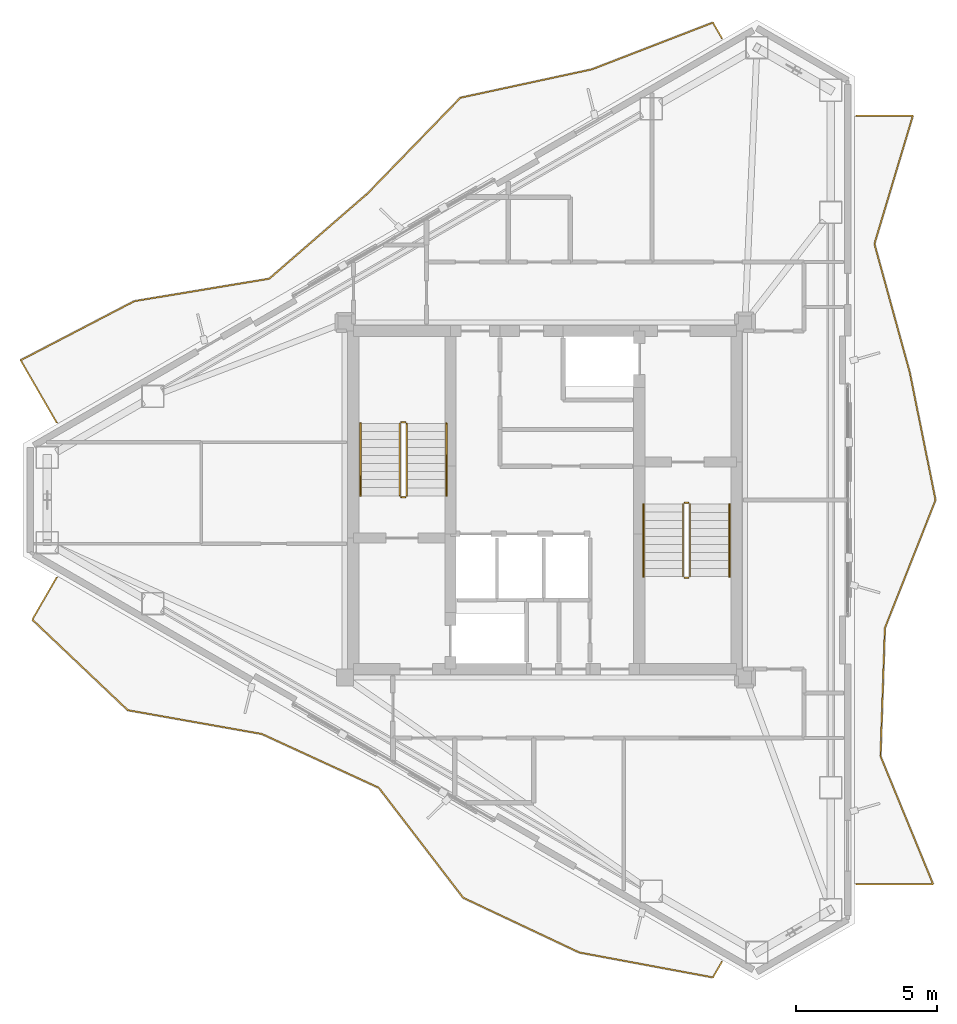
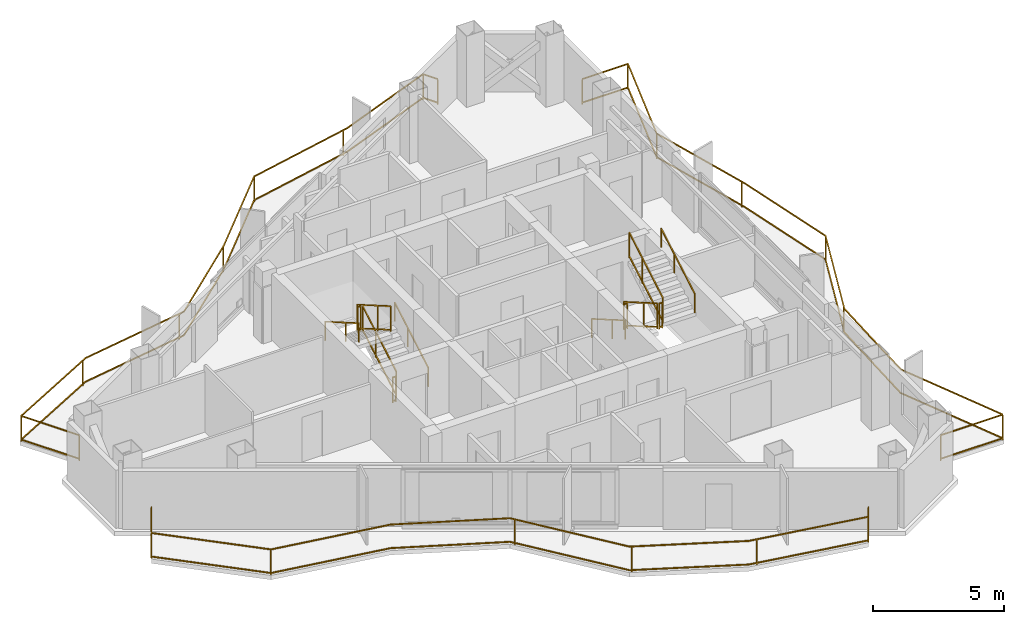
# One storey, part 18 of 18: 15 railings.
"""IFC4 building model written with IfcOpenShell, lengths in metres."""

from ifc_helpers import new_model, si_unit, direction, frame, origin, origin_2d, place, context, subcontext, project, spatial, rectangle, extrude, material, type_object, element, save


model = new_model("IFC4")

# Units and contexts
model_context = context("Model", 3, precision=1e-05, world=origin(), true_north=direction((0.0, 1.0)))
body_context = subcontext(model_context, "Body", "Model", "MODEL_VIEW")
ifc_project = project(units=[si_unit("LENGTHUNIT", "METRE"), si_unit("AREAUNIT", "SQUARE_METRE"), si_unit("VOLUMEUNIT", "CUBIC_METRE"), si_unit("PLANEANGLEUNIT", "RADIAN"), si_unit("MASSUNIT", "GRAM", prefix="KILO")], contexts=[model_context])

# Site, building, storey
site_placement = place(None, origin())
site = spatial("IfcSite", under=ifc_project, at=site_placement, CompositionType="ELEMENT")
building_placement = place(site_placement, origin())
building = spatial("IfcBuilding", under=site, at=building_placement, Name="Mersakhor Tower and Convention Hall", CompositionType="ELEMENT")
storey_placement = place(building_placement, frame((0.0, 0.0, 233.10009765625)))
storey = spatial("IfcBuildingStorey", under=building, at=storey_placement, Name="L65", CompositionType="ELEMENT", Elevation=233.10009765625)

# Railings
ifc_material_1 = material(Name="Powder-coated galvanised steel and laminated glass balustrade", Category="steel")
railing_type_1 = type_object("IfcRailingType", Name="RL-BAL-1200", PredefinedType="BALUSTRADE", material=ifc_material_1)
railing_1_placement = place(storey_placement, frame((35.287841796875, 43.13134765625, 0.0)))
element("IfcRailing", 1, at=railing_1_placement, inside=storey, type_object=railing_type_1, Name="L65 Sinusoidal Balcony Balustrade F1", PredefinedType="BALUSTRADE", context=body_context, shape_type="SweptSolid", body=[
    extrude(rectangle(XDim=0.048095703125, YDim=0.048095703125, at=origin_2d()), frame((0.0, 0.0, 1.17578125), z_axis=(-0.49989585183, 0.866085525409, 0.0), x_axis=(-0.866085525409, -0.49989585183, 0.0)), (0.0, 0.0, 1.0), 0.650146484375),
    extrude(rectangle(XDim=0.048095703125, YDim=0.048095703125, at=origin_2d()), frame((0.0, 0.0, 0.080078125), z_axis=(-0.49989585183, 0.866085525409, 0.0), x_axis=(-0.866085525409, -0.49989585183, 0.0)), (0.0, 0.0, 1.0), 0.650146484375),
    extrude(rectangle(XDim=0.048095703125, YDim=0.048095703125, at=origin_2d()), frame((-0.324951171875, 0.56298828125, 1.17578125), z_axis=(-0.932764477303, -0.360486379605, 0.0), x_axis=(0.360486379605, -0.932764477303, 0.0)), (0.0, 0.0, 1.0), 4.6005859375),
    extrude(rectangle(XDim=0.048095703125, YDim=0.048095703125, at=origin_2d()), frame((-0.324951171875, 0.56298828125, 0.080078125), z_axis=(-0.932764477303, -0.360486379605, 0.0), x_axis=(0.360486379605, -0.932764477303, 0.0)), (0.0, 0.0, 1.0), 4.6005859375),
    extrude(rectangle(XDim=0.048095703125, YDim=0.048095703125, at=origin_2d()), frame((-4.6162109375, -1.095458984375, 1.17578125), z_axis=(-0.977477213029, -0.211040986564, 0.0), x_axis=(0.211040986564, -0.977477213029, 0.0)), (0.0, 0.0, 1.0), 4.774169921875),
    extrude(rectangle(XDim=0.048095703125, YDim=0.048095703125, at=origin_2d()), frame((-4.6162109375, -1.095458984375, 0.080078125), z_axis=(-0.977477213029, -0.211040986564, 0.0), x_axis=(0.211040986564, -0.977477213029, 0.0)), (0.0, 0.0, 1.0), 4.774169921875),
    extrude(rectangle(XDim=0.048095703125, YDim=0.048095703125, at=origin_2d()), frame((-9.282958984375, -2.10302734375, 1.17578125), z_axis=(-0.696278957934, -0.717771281634, 0.0), x_axis=(0.717771281634, -0.696278957934, 0.0)), (0.0, 0.0, 1.0), 4.7255859375),
    extrude(rectangle(XDim=0.048095703125, YDim=0.048095703125, at=origin_2d()), frame((-9.282958984375, -2.10302734375, 0.080078125), z_axis=(-0.696278957934, -0.717771281634, 0.0), x_axis=(0.717771281634, -0.696278957934, 0.0)), (0.0, 0.0, 1.0), 4.7255859375),
    extrude(rectangle(XDim=0.048095703125, YDim=0.048095703125, at=origin_2d()), frame((-12.5732421875, -5.494873046875, 1.17578125), z_axis=(-0.755480231709, -0.655171442828, 0.0), x_axis=(0.655171442828, -0.755480231709, 0.0)), (0.0, 0.0, 1.0), 4.629150390625),
    extrude(rectangle(XDim=0.048095703125, YDim=0.048095703125, at=origin_2d()), frame((-12.5732421875, -5.494873046875, 0.080078125), z_axis=(-0.755480231709, -0.655171442828, 0.0), x_axis=(0.655171442828, -0.755480231709, 0.0)), (0.0, 0.0, 1.0), 4.629150390625),
    extrude(rectangle(XDim=0.048095703125, YDim=0.048095703125, at=origin_2d()), frame((-16.070556640625, -8.52783203125, 1.17578125), z_axis=(-0.986442813664, -0.164105378861, 0.0), x_axis=(0.164105378861, -0.986442813664, 0.0)), (0.0, 0.0, 1.0), 4.8544921875),
    extrude(rectangle(XDim=0.048095703125, YDim=0.048095703125, at=origin_2d()), frame((-16.070556640625, -8.52783203125, 0.080078125), z_axis=(-0.986442813664, -0.164105378861, 0.0), x_axis=(0.164105378861, -0.986442813664, 0.0)), (0.0, 0.0, 1.0), 4.8544921875),
    extrude(rectangle(XDim=0.048095703125, YDim=0.048095703125, at=origin_2d()), frame((-20.859130859375, -9.324462890625, 1.17578125), z_axis=(-0.887298491652, -0.461195605694, 0.0), x_axis=(0.461195605694, -0.887298491652, 0.0)), (0.0, 0.0, 1.0), 4.5498046875),
    extrude(rectangle(XDim=0.048095703125, YDim=0.048095703125, at=origin_2d()), frame((-20.859130859375, -9.324462890625, 0.080078125), z_axis=(-0.887298491652, -0.461195605694, 0.0), x_axis=(0.461195605694, -0.887298491652, 0.0)), (0.0, 0.0, 1.0), 4.5498046875),
    extrude(rectangle(XDim=0.048095703125, YDim=0.048095703125, at=origin_2d()), frame((-24.896240234375, -11.4228515625, 1.17578125), z_axis=(0.500022914263, -0.866012173824, 0.0), x_axis=(0.866012173824, 0.500022914263, 0.0)), (0.0, 0.0, 1.0), 2.5556640625),
    extrude(rectangle(XDim=0.048095703125, YDim=0.048095703125, at=origin_2d()), frame((-24.896240234375, -11.4228515625, 0.080078125), z_axis=(0.500022914263, -0.866012173824, 0.0), x_axis=(0.866012173824, 0.500022914263, 0.0)), (0.0, 0.0, 1.0), 2.5556640625),
    extrude(rectangle(XDim=0.0419921875, YDim=0.0419921875, at=origin_2d()), origin(), (0.0, 0.0, 1.0), 1.15185546875),
    extrude(rectangle(XDim=0.0419921875, YDim=0.0419921875, at=origin_2d()), frame((-0.324951171875, 0.56298828125, 0.0)), (0.0, 0.0, 1.0), 1.15185546875),
    extrude(rectangle(XDim=0.0419921875, YDim=0.0419921875, at=origin_2d()), frame((-4.81103515625, -1.137451171875, 0.0)), (0.0, 0.0, 1.0), 1.15185546875),
    extrude(rectangle(XDim=0.0419921875, YDim=0.0419921875, at=origin_2d()), frame((-9.282958984375, -2.10302734375, 0.0)), (0.0, 0.0, 1.0), 1.15185546875),
    extrude(rectangle(XDim=0.0419921875, YDim=0.0419921875, at=origin_2d()), frame((-12.62939453125, -5.543701171875, 0.0)), (0.0, 0.0, 1.0), 1.15185546875),
    extrude(rectangle(XDim=0.0419921875, YDim=0.0419921875, at=origin_2d()), frame((-16.3125, -8.568115234375, 0.0)), (0.0, 0.0, 1.0), 1.15185546875),
    extrude(rectangle(XDim=0.0419921875, YDim=0.0419921875, at=origin_2d()), frame((-21.028564453125, -9.412353515625, 0.0)), (0.0, 0.0, 1.0), 1.15185546875),
    extrude(rectangle(XDim=0.0419921875, YDim=0.0419921875, at=origin_2d()), frame((-24.896240234375, -11.4228515625, 0.0)), (0.0, 0.0, 1.0), 1.15185546875),
    extrude(rectangle(XDim=0.0419921875, YDim=0.0419921875, at=origin_2d()), frame((-23.618408203125, -13.635986328125, 0.0)), (0.0, 0.0, 1.0), 1.15185546875),
])
railing_2_placement = place(storey_placement, frame((40.042724609375, 13.114013671875, 0.0)))
element("IfcRailing", 2, at=railing_2_placement, inside=storey, type_object=railing_type_1, Name="L65 Sinusoidal Balcony Balustrade F2", PredefinedType="BALUSTRADE", context=body_context, shape_type="SweptSolid", body=[
    extrude(rectangle(XDim=0.048095703125, YDim=0.048095703125, at=origin_2d()), frame((0.0, 0.0, 1.17578125), z_axis=(1.0, 0.0, 0.0), x_axis=(0.0, 1.0, 0.0)), (0.0, 0.0, 1.0), 2.733154296875),
    extrude(rectangle(XDim=0.048095703125, YDim=0.048095703125, at=origin_2d()), frame((0.0, 0.0, 0.080078125), z_axis=(1.0, 0.0, 0.0), x_axis=(0.0, 1.0, 0.0)), (0.0, 0.0, 1.0), 2.733154296875),
    extrude(rectangle(XDim=0.048095703125, YDim=0.048095703125, at=origin_2d()), frame((2.733154296875, 0.0, 1.17578125), z_axis=(-0.380162517163, 0.924919704917, 0.0), x_axis=(-0.924919704917, -0.380162517163, 0.0)), (0.0, 0.0, 1.0), 4.9140625),
    extrude(rectangle(XDim=0.048095703125, YDim=0.048095703125, at=origin_2d()), frame((2.733154296875, 0.0, 0.080078125), z_axis=(-0.380162517163, 0.924919704917, 0.0), x_axis=(-0.924919704917, -0.380162517163, 0.0)), (0.0, 0.0, 1.0), 4.9140625),
    extrude(rectangle(XDim=0.048095703125, YDim=0.048095703125, at=origin_2d()), frame((0.864990234375, 4.545166015625, 1.17578125), z_axis=(0.034515891496, 0.999404149098, 0.0), x_axis=(-0.999404149098, 0.034515891496, 0.0)), (0.0, 0.0, 1.0), 4.548095703125),
    extrude(rectangle(XDim=0.048095703125, YDim=0.048095703125, at=origin_2d()), frame((0.864990234375, 4.545166015625, 0.080078125), z_axis=(0.034515891496, 0.999404149098, 0.0), x_axis=(-0.999404149098, 0.034515891496, 0.0)), (0.0, 0.0, 1.0), 4.548095703125),
    extrude(rectangle(XDim=0.048095703125, YDim=0.048095703125, at=origin_2d()), frame((1.02197265625, 9.090576171875, 1.17578125), z_axis=(0.367848735414, 0.929885642353, 0.0), x_axis=(-0.929885642353, 0.367848735414, 0.0)), (0.0, 0.0, 1.0), 4.88818359375),
    extrude(rectangle(XDim=0.048095703125, YDim=0.048095703125, at=origin_2d()), frame((1.02197265625, 9.090576171875, 0.080078125), z_axis=(0.367848735414, 0.929885642353, 0.0), x_axis=(-0.929885642353, 0.367848735414, 0.0)), (0.0, 0.0, 1.0), 4.88818359375),
    extrude(rectangle(XDim=0.048095703125, YDim=0.048095703125, at=origin_2d()), frame((2.820068359375, 13.635986328125, 1.17578125), z_axis=(-0.198261971262, 0.980149065577, 0.0), x_axis=(-0.980149065577, -0.198261971262, 0.0)), (0.0, 0.0, 1.0), 4.637451171875),
    extrude(rectangle(XDim=0.048095703125, YDim=0.048095703125, at=origin_2d()), frame((2.820068359375, 13.635986328125, 0.080078125), z_axis=(-0.198261971262, 0.980149065577, 0.0), x_axis=(-0.980149065577, -0.198261971262, 0.0)), (0.0, 0.0, 1.0), 4.637451171875),
    extrude(rectangle(XDim=0.048095703125, YDim=0.048095703125, at=origin_2d()), frame((1.900634765625, 18.181396484375, 1.17578125), z_axis=(-0.26525518166, 0.964178245244, 0.0), x_axis=(-0.964178245244, -0.26525518166, 0.0)), (0.0, 0.0, 1.0), 4.71435546875),
    extrude(rectangle(XDim=0.048095703125, YDim=0.048095703125, at=origin_2d()), frame((1.900634765625, 18.181396484375, 0.080078125), z_axis=(-0.26525518166, 0.964178245244, 0.0), x_axis=(-0.964178245244, -0.26525518166, 0.0)), (0.0, 0.0, 1.0), 4.71435546875),
    extrude(rectangle(XDim=0.048095703125, YDim=0.048095703125, at=origin_2d()), frame((0.650146484375, 22.726806640625, 1.17578125), z_axis=(0.287248758998, 0.957856017601, 0.0), x_axis=(-0.957856017601, 0.287248758998, 0.0)), (0.0, 0.0, 1.0), 4.7451171875),
    extrude(rectangle(XDim=0.048095703125, YDim=0.048095703125, at=origin_2d()), frame((0.650146484375, 22.726806640625, 0.080078125), z_axis=(0.287248758998, 0.957856017601, 0.0), x_axis=(-0.957856017601, 0.287248758998, 0.0)), (0.0, 0.0, 1.0), 4.7451171875),
    extrude(rectangle(XDim=0.048095703125, YDim=0.048095703125, at=origin_2d()), frame((2.01318359375, 27.27197265625, 1.17578125), z_axis=(-1.0, 0.0, 0.0), x_axis=(0.0, -1.0, 0.0)), (0.0, 0.0, 1.0), 2.01318359375),
    extrude(rectangle(XDim=0.048095703125, YDim=0.048095703125, at=origin_2d()), frame((2.01318359375, 27.27197265625, 0.080078125), z_axis=(-1.0, 0.0, 0.0), x_axis=(0.0, -1.0, 0.0)), (0.0, 0.0, 1.0), 2.01318359375),
    extrude(rectangle(XDim=0.0419921875, YDim=0.0419921875, at=origin_2d()), origin(), (0.0, 0.0, 1.0), 1.15185546875),
    extrude(rectangle(XDim=0.0419921875, YDim=0.0419921875, at=origin_2d()), frame((2.733154296875, 0.0, 0.0)), (0.0, 0.0, 1.0), 1.15185546875),
    extrude(rectangle(XDim=0.0419921875, YDim=0.0419921875, at=origin_2d()), frame((1.07275390625, 9.21875, 0.0)), (0.0, 0.0, 1.0), 1.15185546875),
    extrude(rectangle(XDim=0.0419921875, YDim=0.0419921875, at=origin_2d()), frame((2.820068359375, 13.635986328125, 0.0)), (0.0, 0.0, 1.0), 1.15185546875),
    extrude(rectangle(XDim=0.0419921875, YDim=0.0419921875, at=origin_2d()), frame((1.857421875, 18.338134765625, 0.0)), (0.0, 0.0, 1.0), 1.15185546875),
    extrude(rectangle(XDim=0.0419921875, YDim=0.0419921875, at=origin_2d()), frame((0.650146484375, 22.726806640625, 0.0)), (0.0, 0.0, 1.0), 1.15185546875),
    extrude(rectangle(XDim=0.0419921875, YDim=0.0419921875, at=origin_2d()), frame((2.01318359375, 27.27197265625, 0.0)), (0.0, 0.0, 1.0), 1.15185546875),
    extrude(rectangle(XDim=0.0419921875, YDim=0.0419921875, at=origin_2d()), frame((0.0, 27.27197265625, 0.0)), (0.0, 0.0, 1.0), 1.15185546875),
])
railing_3_placement = place(storey_placement, frame((11.66943359375, 24.004638671875, 0.0)))
element("IfcRailing", 3, at=railing_3_placement, inside=storey, type_object=railing_type_1, Name="L65 Sinusoidal Balcony Balustrade F3", PredefinedType="BALUSTRADE", context=body_context, shape_type="SweptSolid", body=[
    extrude(rectangle(XDim=0.048095703125, YDim=0.048095703125, at=origin_2d()), frame((0.0, 0.0, 1.17578125), z_axis=(-0.500011734103, -0.866018628991, 0.0), x_axis=(0.866018628991, -0.500011734103, 0.0)), (0.0, 0.0, 1.0), 1.72900390625),
    extrude(rectangle(XDim=0.048095703125, YDim=0.048095703125, at=origin_2d()), frame((0.0, 0.0, 0.080078125), z_axis=(-0.500011734103, -0.866018628991, 0.0), x_axis=(0.866018628991, -0.500011734103, 0.0)), (0.0, 0.0, 1.0), 1.72900390625),
    extrude(rectangle(XDim=0.048095703125, YDim=0.048095703125, at=origin_2d()), frame((-0.864501953125, -1.497314453125, 1.17578125), z_axis=(0.725404852692, -0.688322453281, 0.0), x_axis=(0.688322453281, 0.725404852692, 0.0)), (0.0, 0.0, 1.0), 4.674560546875),
    extrude(rectangle(XDim=0.048095703125, YDim=0.048095703125, at=origin_2d()), frame((-0.864501953125, -1.497314453125, 0.080078125), z_axis=(0.725404852692, -0.688322453281, 0.0), x_axis=(0.688322453281, 0.725404852692, 0.0)), (0.0, 0.0, 1.0), 4.674560546875),
    extrude(rectangle(XDim=0.048095703125, YDim=0.048095703125, at=origin_2d()), frame((2.5263671875, -4.71484375, 1.17578125), z_axis=(0.984622005342, -0.174698330264, 0.0), x_axis=(0.174698330264, 0.984622005342, 0.0)), (0.0, 0.0, 1.0), 4.83544921875),
    extrude(rectangle(XDim=0.048095703125, YDim=0.048095703125, at=origin_2d()), frame((2.5263671875, -4.71484375, 0.080078125), z_axis=(0.984622005342, -0.174698330264, 0.0), x_axis=(0.174698330264, 0.984622005342, 0.0)), (0.0, 0.0, 1.0), 4.83544921875),
    extrude(rectangle(XDim=0.048095703125, YDim=0.048095703125, at=origin_2d()), frame((7.287353515625, -5.5595703125, 1.17578125), z_axis=(0.90855176803, -0.417772288225, 0.0), x_axis=(0.417772288225, 0.90855176803, 0.0)), (0.0, 0.0, 1.0), 4.564697265625),
    extrude(rectangle(XDim=0.048095703125, YDim=0.048095703125, at=origin_2d()), frame((7.287353515625, -5.5595703125, 0.080078125), z_axis=(0.90855176803, -0.417772288225, 0.0), x_axis=(0.417772288225, 0.90855176803, 0.0)), (0.0, 0.0, 1.0), 4.564697265625),
    extrude(rectangle(XDim=0.048095703125, YDim=0.048095703125, at=origin_2d()), frame((11.4345703125, -7.466552734375, 1.17578125), z_axis=(0.608547158724, -0.793517709701, 0.0), x_axis=(0.793517709701, 0.608547158724, 0.0)), (0.0, 0.0, 1.0), 4.920654296875),
    extrude(rectangle(XDim=0.048095703125, YDim=0.048095703125, at=origin_2d()), frame((11.4345703125, -7.466552734375, 0.080078125), z_axis=(0.608547158724, -0.793517709701, 0.0), x_axis=(0.793517709701, 0.608547158724, 0.0)), (0.0, 0.0, 1.0), 4.920654296875),
    extrude(rectangle(XDim=0.048095703125, YDim=0.048095703125, at=origin_2d()), frame((14.428955078125, -11.37109375, 1.17578125), z_axis=(0.904560148205, -0.426346031153, 0.0), x_axis=(0.426346031153, 0.904560148205, 0.0)), (0.0, 0.0, 1.0), 4.56103515625),
    extrude(rectangle(XDim=0.048095703125, YDim=0.048095703125, at=origin_2d()), frame((14.428955078125, -11.37109375, 0.080078125), z_axis=(0.904560148205, -0.426346031153, 0.0), x_axis=(0.426346031153, 0.904560148205, 0.0)), (0.0, 0.0, 1.0), 4.56103515625),
    extrude(rectangle(XDim=0.048095703125, YDim=0.048095703125, at=origin_2d()), frame((18.5546875, -13.315673828125, 1.17578125), z_axis=(0.983067722311, -0.183242607899, 0.0), x_axis=(0.183242607899, 0.983067722311, 0.0)), (0.0, 0.0, 1.0), 4.8203125),
    extrude(rectangle(XDim=0.048095703125, YDim=0.048095703125, at=origin_2d()), frame((18.5546875, -13.315673828125, 0.080078125), z_axis=(0.983067722311, -0.183242607899, 0.0), x_axis=(0.183242607899, 0.983067722311, 0.0)), (0.0, 0.0, 1.0), 4.8203125),
    extrude(rectangle(XDim=0.048095703125, YDim=0.048095703125, at=origin_2d()), frame((23.29345703125, -14.198974609375, 1.17578125), z_axis=(0.49989585183, 0.866085525409, 0.0), x_axis=(-0.866085525409, 0.49989585183, 0.0)), (0.0, 0.0, 1.0), 0.650146484375),
    extrude(rectangle(XDim=0.048095703125, YDim=0.048095703125, at=origin_2d()), frame((23.29345703125, -14.198974609375, 0.080078125), z_axis=(0.49989585183, 0.866085525409, 0.0), x_axis=(-0.866085525409, 0.49989585183, 0.0)), (0.0, 0.0, 1.0), 0.650146484375),
    extrude(rectangle(XDim=0.0419921875, YDim=0.0419921875, at=origin_2d()), origin(), (0.0, 0.0, 1.0), 1.15185546875),
    extrude(rectangle(XDim=0.0419921875, YDim=0.0419921875, at=origin_2d()), frame((-0.864501953125, -1.497314453125, 0.0)), (0.0, 0.0, 1.0), 1.15185546875),
    extrude(rectangle(XDim=0.0419921875, YDim=0.0419921875, at=origin_2d()), frame((2.5263671875, -4.71484375, 0.0)), (0.0, 0.0, 1.0), 1.15185546875),
    extrude(rectangle(XDim=0.0419921875, YDim=0.0419921875, at=origin_2d()), frame((11.556396484375, -7.625244140625, 0.0)), (0.0, 0.0, 1.0), 1.15185546875),
    extrude(rectangle(XDim=0.0419921875, YDim=0.0419921875, at=origin_2d()), frame((14.500732421875, -11.405029296875, 0.0)), (0.0, 0.0, 1.0), 1.15185546875),
    extrude(rectangle(XDim=0.0419921875, YDim=0.0419921875, at=origin_2d()), frame((18.86767578125, -13.3740234375, 0.0)), (0.0, 0.0, 1.0), 1.15185546875),
    extrude(rectangle(XDim=0.0419921875, YDim=0.0419921875, at=origin_2d()), frame((23.29345703125, -14.198974609375, 0.0)), (0.0, 0.0, 1.0), 1.15185546875),
    extrude(rectangle(XDim=0.0419921875, YDim=0.0419921875, at=origin_2d()), frame((23.618408203125, -13.635986328125, 0.0)), (0.0, 0.0, 1.0), 1.15185546875),
])
ifc_material_2 = material(Name="Brushed stainless steel handrail", Category="steel")
railing_type_2 = type_object("IfcRailingType", Name="RL-HR-900", PredefinedType="HANDRAIL", material=ifc_material_2)
railing_4_placement = place(storey_placement, frame((25.5, 26.89990234375, 0.164794921875)))
element("IfcRailing", 4, at=railing_4_placement, inside=storey, type_object=railing_type_2, Name="L65 ST-1 stair handrail 1", PredefinedType="HANDRAIL", context=body_context, shape_type="SweptSolid", body=[
    extrude(rectangle(XDim=0.048095703125, YDim=0.048095703125, at=origin_2d()), frame((0.0, 0.0, 0.8759765625), z_axis=(0.0, 0.865426285481, 0.501036270542), x_axis=(-1.0, 0.0, 0.0)), (0.0, 0.0, 1.0), 2.964111328125),
    extrude(rectangle(XDim=0.0419921875, YDim=0.0419921875, at=origin_2d()), origin(), (0.0, 0.0, 1.0), 0.851806640625),
    extrude(rectangle(XDim=0.0419921875, YDim=0.0419921875, at=origin_2d()), frame((0.0, 1.557861328125, 0.90185546875)), (0.0, 0.0, 1.0), 0.851806640625),
    extrude(rectangle(XDim=0.0419921875, YDim=0.0419921875, at=origin_2d()), frame((0.0, 2.565185546875, 1.485107421875)), (0.0, 0.0, 1.0), 0.851806640625),
])
railing_5_placement = place(storey_placement, frame((22.449951171875, 29.465087890625, 1.81494140625)))
element("IfcRailing", 5, at=railing_5_placement, inside=storey, type_object=railing_type_2, Name="L65 ST-1 stair handrail 2", PredefinedType="HANDRAIL", context=body_context, shape_type="SweptSolid", body=[
    extrude(rectangle(XDim=0.048095703125, YDim=0.048095703125, at=origin_2d()), frame((0.0, 0.0, 0.8759765625), z_axis=(0.0, -0.865461999751, 0.500974577186), x_axis=(1.0, 0.0, 0.0)), (0.0, 0.0, 1.0), 2.9638671875),
    extrude(rectangle(XDim=0.0419921875, YDim=0.0419921875, at=origin_2d()), origin(), (0.0, 0.0, 1.0), 0.851806640625),
    extrude(rectangle(XDim=0.0419921875, YDim=0.0419921875, at=origin_2d()), frame((0.0, -1.557861328125, 0.90185546875)), (0.0, 0.0, 1.0), 0.851806640625),
    extrude(rectangle(XDim=0.0419921875, YDim=0.0419921875, at=origin_2d()), frame((0.0, -2.565185546875, 1.48486328125)), (0.0, 0.0, 1.0), 0.851806640625),
])
railing_6_placement = place(storey_placement, frame((32.5, 26.60009765625, 0.164794921875)))
element("IfcRailing", 6, at=railing_6_placement, inside=storey, type_object=railing_type_2, Name="L65 ST-2 stair handrail 1", PredefinedType="HANDRAIL", context=body_context, shape_type="SweptSolid", body=[
    extrude(rectangle(XDim=0.048095703125, YDim=0.048095703125, at=origin_2d()), frame((0.0, 0.0, 0.8759765625), z_axis=(0.0, -0.865426285481, 0.501036270542), x_axis=(1.0, 0.0, 0.0)), (0.0, 0.0, 1.0), 2.964111328125),
    extrude(rectangle(XDim=0.0419921875, YDim=0.0419921875, at=origin_2d()), origin(), (0.0, 0.0, 1.0), 0.851806640625),
    extrude(rectangle(XDim=0.0419921875, YDim=0.0419921875, at=origin_2d()), frame((0.0, -1.557861328125, 0.90185546875)), (0.0, 0.0, 1.0), 0.851806640625),
    extrude(rectangle(XDim=0.0419921875, YDim=0.0419921875, at=origin_2d()), frame((0.0, -2.565185546875, 1.485107421875)), (0.0, 0.0, 1.0), 0.851806640625),
])
railing_7_placement = place(storey_placement, frame((35.550048828125, 24.034912109375, 1.81494140625)))
element("IfcRailing", 7, at=railing_7_placement, inside=storey, type_object=railing_type_2, Name="L65 ST-2 stair handrail 2", PredefinedType="HANDRAIL", context=body_context, shape_type="SweptSolid", body=[
    extrude(rectangle(XDim=0.048095703125, YDim=0.048095703125, at=origin_2d()), frame((0.0, 0.0, 0.8759765625), z_axis=(0.0, 0.865461999751, 0.500974577186), x_axis=(-1.0, 0.0, 0.0)), (0.0, 0.0, 1.0), 2.9638671875),
    extrude(rectangle(XDim=0.0419921875, YDim=0.0419921875, at=origin_2d()), origin(), (0.0, 0.0, 1.0), 0.851806640625),
    extrude(rectangle(XDim=0.0419921875, YDim=0.0419921875, at=origin_2d()), frame((0.0, 1.557861328125, 0.90185546875)), (0.0, 0.0, 1.0), 0.851806640625),
    extrude(rectangle(XDim=0.0419921875, YDim=0.0419921875, at=origin_2d()), frame((0.0, 2.565185546875, 1.48486328125)), (0.0, 0.0, 1.0), 0.851806640625),
])
ifc_material_3 = material(Name="Painted steel stair balustrade S355", Category="steel")
railing_type_3 = type_object("IfcRailingType", Name="RL-STG-1200", PredefinedType="BALUSTRADE", material=ifc_material_3)
railing_8_placement = place(storey_placement, frame((24.10009765625, 26.89990234375, 0.164794921875)))
element("IfcRailing", 8, at=railing_8_placement, inside=storey, type_object=railing_type_3, Name="L65 ST-1 stair guard 1", PredefinedType="BALUSTRADE", context=body_context, shape_type="SweptSolid", body=[
    extrude(rectangle(XDim=0.048095703125, YDim=0.048095703125, at=origin_2d()), frame((0.0, 0.0, 1.17578125), z_axis=(0.0, 0.865426285481, 0.501036270542), x_axis=(-1.0, 0.0, 0.0)), (0.0, 0.0, 1.0), 2.964111328125),
    extrude(rectangle(XDim=0.048095703125, YDim=0.048095703125, at=origin_2d()), frame((0.0, 0.0, 0.080078125), z_axis=(0.0, 0.865426285481, 0.501036270542), x_axis=(-1.0, 0.0, 0.0)), (0.0, 0.0, 1.0), 2.964111328125),
    extrude(rectangle(XDim=0.0419921875, YDim=0.0419921875, at=origin_2d()), origin(), (0.0, 0.0, 1.0), 1.15185546875),
    extrude(rectangle(XDim=0.0419921875, YDim=0.0419921875, at=origin_2d()), frame((0.0, 1.557861328125, 0.90185546875)), (0.0, 0.0, 1.0), 1.15185546875),
    extrude(rectangle(XDim=0.0419921875, YDim=0.0419921875, at=origin_2d()), frame((0.0, 2.565185546875, 1.485107421875)), (0.0, 0.0, 1.0), 1.15185546875),
])
railing_9_placement = place(storey_placement, frame((24.050048828125, 29.514892578125, 1.64990234375)))
element("IfcRailing", 9, at=railing_9_placement, inside=storey, type_object=railing_type_3, Name="L65 ST-1 stair guard 2", PredefinedType="BALUSTRADE", context=body_context, shape_type="SweptSolid", body=[
    extrude(rectangle(XDim=0.048095703125, YDim=0.048095703125, at=origin_2d()), frame((0.0, 0.0, 1.17578125), z_axis=(-1.0, 0.0, 0.0), x_axis=(0.0, -1.0, 0.0)), (0.0, 0.0, 1.0), 0.150146484375),
    extrude(rectangle(XDim=0.048095703125, YDim=0.048095703125, at=origin_2d()), frame((0.0, 0.0, 0.080078125), z_axis=(-1.0, 0.0, 0.0), x_axis=(0.0, -1.0, 0.0)), (0.0, 0.0, 1.0), 0.150146484375),
    extrude(rectangle(XDim=0.0419921875, YDim=0.0419921875, at=origin_2d()), origin(), (0.0, 0.0, 1.0), 1.15185546875),
    extrude(rectangle(XDim=0.0419921875, YDim=0.0419921875, at=origin_2d()), frame((-0.150146484375, 0.0, 0.0)), (0.0, 0.0, 1.0), 1.15185546875),
])
railing_10_placement = place(storey_placement, frame((23.85009765625, 29.465087890625, 1.81494140625)))
element("IfcRailing", 10, at=railing_10_placement, inside=storey, type_object=railing_type_3, Name="L65 ST-1 stair guard 3", PredefinedType="BALUSTRADE", context=body_context, shape_type="SweptSolid", body=[
    extrude(rectangle(XDim=0.048095703125, YDim=0.048095703125, at=origin_2d()), frame((0.0, 0.0, 1.17578125), z_axis=(0.0, -0.865461999751, 0.500974577186), x_axis=(1.0, 0.0, 0.0)), (0.0, 0.0, 1.0), 2.9638671875),
    extrude(rectangle(XDim=0.048095703125, YDim=0.048095703125, at=origin_2d()), frame((0.0, 0.0, 0.080078125), z_axis=(0.0, -0.865461999751, 0.500974577186), x_axis=(1.0, 0.0, 0.0)), (0.0, 0.0, 1.0), 2.9638671875),
    extrude(rectangle(XDim=0.0419921875, YDim=0.0419921875, at=origin_2d()), origin(), (0.0, 0.0, 1.0), 1.15185546875),
    extrude(rectangle(XDim=0.0419921875, YDim=0.0419921875, at=origin_2d()), frame((0.0, -1.557861328125, 0.90185546875)), (0.0, 0.0, 1.0), 1.15185546875),
    extrude(rectangle(XDim=0.0419921875, YDim=0.0419921875, at=origin_2d()), frame((0.0, -2.565185546875, 1.48486328125)), (0.0, 0.0, 1.0), 1.15185546875),
])
railing_11_placement = place(storey_placement, frame((24.050048828125, 26.85009765625, 0.0)))
element("IfcRailing", 11, at=railing_11_placement, inside=storey, type_object=railing_type_3, Name="L65 ST-1 stair guard 4", PredefinedType="BALUSTRADE", context=body_context, shape_type="SweptSolid", body=[
    extrude(rectangle(XDim=0.048095703125, YDim=0.048095703125, at=origin_2d()), frame((0.0, 0.0, 1.17578125), z_axis=(-1.0, 0.0, 0.0), x_axis=(0.0, -1.0, 0.0)), (0.0, 0.0, 1.0), 0.150146484375),
    extrude(rectangle(XDim=0.048095703125, YDim=0.048095703125, at=origin_2d()), frame((0.0, 0.0, 0.080078125), z_axis=(-1.0, 0.0, 0.0), x_axis=(0.0, -1.0, 0.0)), (0.0, 0.0, 1.0), 0.150146484375),
    extrude(rectangle(XDim=0.0419921875, YDim=0.0419921875, at=origin_2d()), origin(), (0.0, 0.0, 1.0), 1.15185546875),
    extrude(rectangle(XDim=0.0419921875, YDim=0.0419921875, at=origin_2d()), frame((-0.150146484375, 0.0, 0.0)), (0.0, 0.0, 1.0), 1.15185546875),
])
railing_12_placement = place(storey_placement, frame((33.89990234375, 26.60009765625, 0.164794921875)))
element("IfcRailing", 12, at=railing_12_placement, inside=storey, type_object=railing_type_3, Name="L65 ST-2 stair guard 1", PredefinedType="BALUSTRADE", context=body_context, shape_type="SweptSolid", body=[
    extrude(rectangle(XDim=0.048095703125, YDim=0.048095703125, at=origin_2d()), frame((0.0, 0.0, 1.17578125), z_axis=(0.0, -0.865426285481, 0.501036270542), x_axis=(1.0, 0.0, 0.0)), (0.0, 0.0, 1.0), 2.964111328125),
    extrude(rectangle(XDim=0.048095703125, YDim=0.048095703125, at=origin_2d()), frame((0.0, 0.0, 0.080078125), z_axis=(0.0, -0.865426285481, 0.501036270542), x_axis=(1.0, 0.0, 0.0)), (0.0, 0.0, 1.0), 2.964111328125),
    extrude(rectangle(XDim=0.0419921875, YDim=0.0419921875, at=origin_2d()), origin(), (0.0, 0.0, 1.0), 1.15185546875),
    extrude(rectangle(XDim=0.0419921875, YDim=0.0419921875, at=origin_2d()), frame((0.0, -1.557861328125, 0.90185546875)), (0.0, 0.0, 1.0), 1.15185546875),
    extrude(rectangle(XDim=0.0419921875, YDim=0.0419921875, at=origin_2d()), frame((0.0, -2.565185546875, 1.485107421875)), (0.0, 0.0, 1.0), 1.15185546875),
])
railing_13_placement = place(storey_placement, frame((33.949951171875, 23.985107421875, 1.64990234375)))
element("IfcRailing", 13, at=railing_13_placement, inside=storey, type_object=railing_type_3, Name="L65 ST-2 stair guard 2", PredefinedType="BALUSTRADE", context=body_context, shape_type="SweptSolid", body=[
    extrude(rectangle(XDim=0.048095703125, YDim=0.048095703125, at=origin_2d()), frame((0.0, 0.0, 1.17578125), z_axis=(1.0, 0.0, 0.0), x_axis=(0.0, 1.0, 0.0)), (0.0, 0.0, 1.0), 0.150146484375),
    extrude(rectangle(XDim=0.048095703125, YDim=0.048095703125, at=origin_2d()), frame((0.0, 0.0, 0.080078125), z_axis=(1.0, 0.0, 0.0), x_axis=(0.0, 1.0, 0.0)), (0.0, 0.0, 1.0), 0.150146484375),
    extrude(rectangle(XDim=0.0419921875, YDim=0.0419921875, at=origin_2d()), origin(), (0.0, 0.0, 1.0), 1.15185546875),
    extrude(rectangle(XDim=0.0419921875, YDim=0.0419921875, at=origin_2d()), frame((0.150146484375, 0.0, 0.0)), (0.0, 0.0, 1.0), 1.15185546875),
])
railing_14_placement = place(storey_placement, frame((34.14990234375, 24.034912109375, 1.81494140625)))
element("IfcRailing", 14, at=railing_14_placement, inside=storey, type_object=railing_type_3, Name="L65 ST-2 stair guard 3", PredefinedType="BALUSTRADE", context=body_context, shape_type="SweptSolid", body=[
    extrude(rectangle(XDim=0.048095703125, YDim=0.048095703125, at=origin_2d()), frame((0.0, 0.0, 1.17578125), z_axis=(0.0, 0.865461999751, 0.500974577186), x_axis=(-1.0, 0.0, 0.0)), (0.0, 0.0, 1.0), 2.9638671875),
    extrude(rectangle(XDim=0.048095703125, YDim=0.048095703125, at=origin_2d()), frame((0.0, 0.0, 0.080078125), z_axis=(0.0, 0.865461999751, 0.500974577186), x_axis=(-1.0, 0.0, 0.0)), (0.0, 0.0, 1.0), 2.9638671875),
    extrude(rectangle(XDim=0.0419921875, YDim=0.0419921875, at=origin_2d()), origin(), (0.0, 0.0, 1.0), 1.15185546875),
    extrude(rectangle(XDim=0.0419921875, YDim=0.0419921875, at=origin_2d()), frame((0.0, 1.557861328125, 0.90185546875)), (0.0, 0.0, 1.0), 1.15185546875),
    extrude(rectangle(XDim=0.0419921875, YDim=0.0419921875, at=origin_2d()), frame((0.0, 2.565185546875, 1.48486328125)), (0.0, 0.0, 1.0), 1.15185546875),
])
railing_15_placement = place(storey_placement, frame((33.949951171875, 26.64990234375, 0.0)))
element("IfcRailing", 15, at=railing_15_placement, inside=storey, type_object=railing_type_3, Name="L65 ST-2 stair guard 4", PredefinedType="BALUSTRADE", context=body_context, shape_type="SweptSolid", body=[
    extrude(rectangle(XDim=0.048095703125, YDim=0.048095703125, at=origin_2d()), frame((0.0, 0.0, 1.17578125), z_axis=(1.0, 0.0, 0.0), x_axis=(0.0, 1.0, 0.0)), (0.0, 0.0, 1.0), 0.150146484375),
    extrude(rectangle(XDim=0.048095703125, YDim=0.048095703125, at=origin_2d()), frame((0.0, 0.0, 0.080078125), z_axis=(1.0, 0.0, 0.0), x_axis=(0.0, 1.0, 0.0)), (0.0, 0.0, 1.0), 0.150146484375),
    extrude(rectangle(XDim=0.0419921875, YDim=0.0419921875, at=origin_2d()), origin(), (0.0, 0.0, 1.0), 1.15185546875),
    extrude(rectangle(XDim=0.0419921875, YDim=0.0419921875, at=origin_2d()), frame((0.150146484375, 0.0, 0.0)), (0.0, 0.0, 1.0), 1.15185546875),
])

save(model, "model.ifc")
